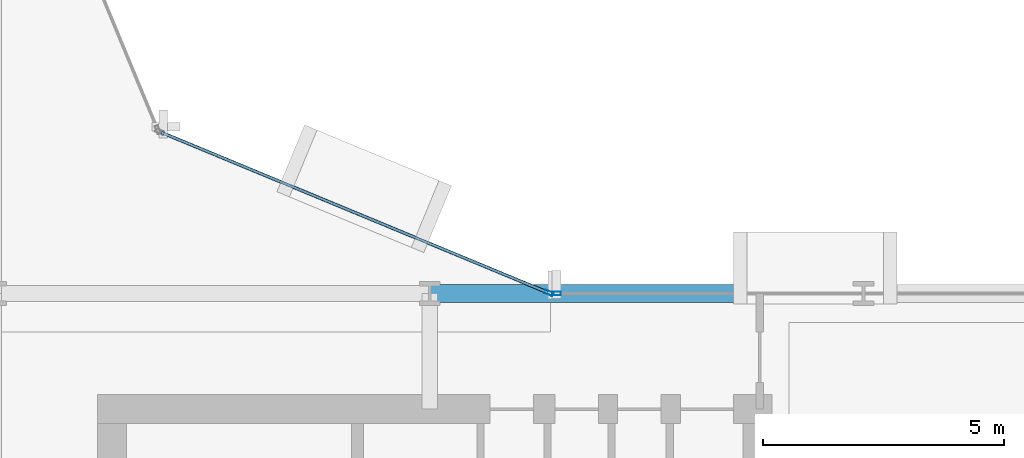
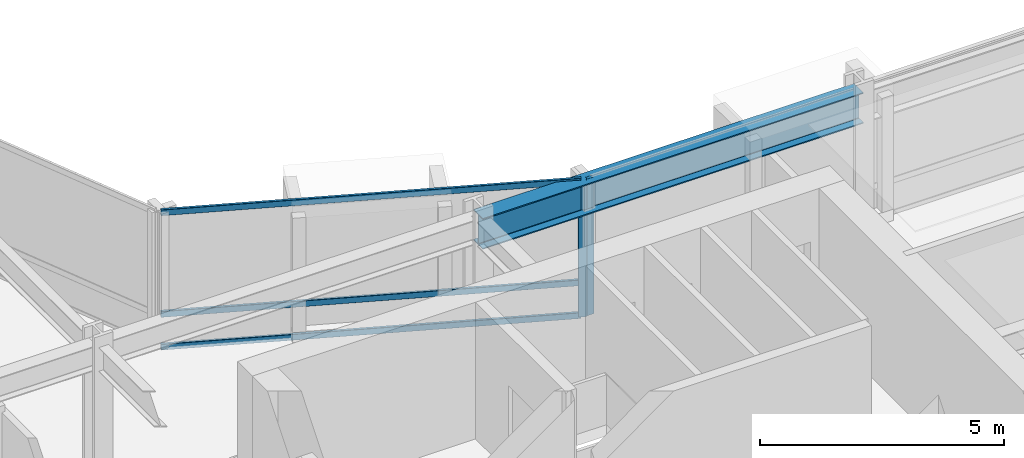
# One storey, part 15 of 34: 5 members, 1 beam, 2 elements without a shape of their own.
"""IFC4 building model written with IfcOpenShell, lengths in metres."""

from ifc_helpers import new_model, si_unit, direction, frame, origin, origin_2d, place, context, subcontext, project, spatial, hollow_rectangle, i_section, extrude, material, layer, layer_set, material_profile, profile_set, type_object, element, aggregate, save


model = new_model("IFC4")

# Units and contexts
model_context = context("Model", 3, precision=1e-05, world=origin(), true_north=direction((0.0, 1.0)))
body_context = subcontext(model_context, "Body", "Model", "MODEL_VIEW")
ifc_project = project(units=[si_unit("LENGTHUNIT", "METRE"), si_unit("AREAUNIT", "SQUARE_METRE"), si_unit("VOLUMEUNIT", "CUBIC_METRE"), si_unit("PLANEANGLEUNIT", "RADIAN"), si_unit("MASSUNIT", "GRAM", prefix="KILO")], contexts=[model_context])

# Site, building, storey
site_placement = place(None, origin())
site = spatial("IfcSite", under=ifc_project, at=site_placement, CompositionType="ELEMENT")
building_placement = place(site_placement, origin())
building = spatial("IfcBuilding", under=site, at=building_placement, Name="Solvaryn Broadcast Tower", CompositionType="ELEMENT")
storey_placement = place(building_placement, frame((0.0, 0.0, 43.39990234375)))
storey = spatial("IfcBuildingStorey", under=building, at=storey_placement, Name="L09", CompositionType="ELEMENT", Elevation=43.39990234375)

# Beam
ifc_material_1 = material(Name="Steel ASTM A992 Grade 50", Category="steel")
ifc_material_profile_1 = material_profile(ifc_material_1, i_section(OverallWidth=0.381103515625, OverallDepth=0.77294921875, WebThickness=0.0166015625, FlangeThickness=0.027099609375, FilletRadius=0.01806640625, at=origin_2d()))
ifc_profile_set_1 = profile_set([ifc_material_profile_1], Name="Steel ASTM A992 Grade 50")
beam_type = type_object("IfcBeamType", Name="BM-SP1-W30X173", PredefinedType="USERDEFINED", material=ifc_profile_set_1)
beam_placement = place(storey_placement, frame((36.0, 27.0, 3.03369140625), z_axis=(1.0, 0.0, 0.0), x_axis=(0.0, 1.0, 0.0)))
element("IfcBeam", 1, at=beam_placement, inside=storey, type_object=beam_type, Name="L09 Spandrel Beam X (36-45 @ Y=27)", ObjectType="SPANDREL", PredefinedType="USERDEFINED", context=body_context, shape_type="SweptSolid", body=[
    extrude(i_section(OverallWidth=0.381103515625, OverallDepth=0.77294921875, WebThickness=0.0166015625, FlangeThickness=0.027099609375, FilletRadius=0.01806640625, at=origin_2d()), origin(), (0.0, 0.0, 1.0), 9.0),
])

# Curtain wall, member
ifc_material_2 = material(Name="Aluminium and Terracotta Unitised Curtain Wall", Category="masonry")
ifc_layer = layer(ifc_material_2, 0.199951171875)
ifc_layer_set = layer_set([ifc_layer], Name="CW-SYS2-LOWMID")
curtain_wall_type = type_object("IfcCurtainWallType", Name="CW-SYS2-LOWMID", PredefinedType="NOTDEFINED", material=ifc_layer_set)
curtain_wall_1_placement = place(storey_placement, origin())
curtain_wall_1 = element("IfcCurtainWall", 2, at=curtain_wall_1_placement, inside=storey, type_object=curtain_wall_type, Name="L09 Curtain Wall CN1", PredefinedType="NOTDEFINED")
ifc_material_3 = material(Name="Anodised Aluminium 6063-T6", Category="aluminium")
ifc_material_profile_2 = material_profile(ifc_material_3, hollow_rectangle(XDim=0.074951171875, YDim=0.179931640625, WallThickness=0.00390625, InnerFilletRadius=0.00390625, OuterFilletRadius=0.008056640625, at=origin_2d()))
ifc_profile_set_2 = profile_set([ifc_material_profile_2], Name="Anodised Aluminium 6063-T6")
member_type_1 = type_object("IfcMemberType", Name="CW-MUL-180", PredefinedType="MULLION", material=ifc_profile_set_2)
member_1_placement = place(storey_placement, frame((38.47216796875, 27.011474609375, 0.0), z_axis=(0.0, 0.0, 1.0), x_axis=(-0.382646127145, -0.923894983957, 0.0)))
member_1 = element("IfcMember", 3, at=member_1_placement, type_object=member_type_1, Name="CWS2 mullion 1", PredefinedType="MULLION", context=body_context, shape_type="SweptSolid", body=[
    extrude(hollow_rectangle(XDim=0.074951171875, YDim=0.179931640625, WallThickness=0.00390625, InnerFilletRadius=0.00390625, OuterFilletRadius=0.008056640625, at=origin_2d()), origin(), (0.0, 0.0, 1.0), 3.420166015625),
])

curtain_wall_2_placement = place(storey_placement, origin())
curtain_wall_2 = element("IfcCurtainWall", 4, at=curtain_wall_2_placement, inside=storey, type_object=curtain_wall_type, Name="L09 Curtain Wall IH", PredefinedType="NOTDEFINED")
member_2_placement = place(storey_placement, frame((38.6298828125, 27.0, 0.0), z_axis=(0.0, 0.0, 1.0), x_axis=(0.0, 1.0, 0.0)))
member_2 = element("IfcMember", 5, at=member_2_placement, type_object=member_type_1, Name="CWS2 mullion 1", PredefinedType="MULLION", context=body_context, shape_type="SweptSolid", body=[
    extrude(hollow_rectangle(XDim=0.074951171875, YDim=0.179931640625, WallThickness=0.00390625, InnerFilletRadius=0.00390625, OuterFilletRadius=0.008056640625, at=origin_2d()), origin(), (0.0, 0.0, 1.0), 3.420166015625),
])
aggregate(curtain_wall_2, [member_2])

# Member
ifc_material_4 = material(Name="Anodised Aluminium 6063-T6", Category="aluminium")
ifc_material_profile_3 = material_profile(ifc_material_4, hollow_rectangle(XDim=0.06494140625, YDim=0.14990234375, WallThickness=0.00390625, InnerFilletRadius=0.00390625, OuterFilletRadius=0.008056640625, at=origin_2d()))
ifc_profile_set_3 = profile_set([ifc_material_profile_3], Name="Anodised Aluminium 6063-T6")
member_type_2 = type_object("IfcMemberType", Name="CW-TRN-150", PredefinedType="USERDEFINED", material=ifc_profile_set_3)
member_3_placement = place(storey_placement, frame((38.444580078125, 27.02294921875, 0.030029296875), z_axis=(-0.923899282177, 0.382635748975, 0.0), x_axis=(-0.382635748975, -0.923899282177, 0.0)))
member_3 = element("IfcMember", 6, at=member_3_placement, type_object=member_type_2, Name="CWS2 transom 1.1", ObjectType="TRANSOM", PredefinedType="USERDEFINED", context=body_context, shape_type="SweptSolid", body=[
    extrude(hollow_rectangle(XDim=0.06494140625, YDim=0.14990234375, WallThickness=0.00390625, InnerFilletRadius=0.00390625, OuterFilletRadius=0.008056640625, at=origin_2d()), origin(), (0.0, 0.0, 1.0), 8.681884765625),
])

member_4_placement = place(storey_placement, frame((38.444580078125, 27.02294921875, 0.85009765625), z_axis=(-0.923899282177, 0.382635748975, 0.0), x_axis=(-0.382635748975, -0.923899282177, 0.0)))
member_4 = element("IfcMember", 7, at=member_4_placement, type_object=member_type_2, Name="CWS2 transom 1.2", ObjectType="TRANSOM", PredefinedType="USERDEFINED", context=body_context, shape_type="SweptSolid", body=[
    extrude(hollow_rectangle(XDim=0.06494140625, YDim=0.14990234375, WallThickness=0.00390625, InnerFilletRadius=0.00390625, OuterFilletRadius=0.008056640625, at=origin_2d()), origin(), (0.0, 0.0, 1.0), 8.681884765625),
])

member_5_placement = place(storey_placement, frame((38.444580078125, 27.02294921875, 3.39013671875), z_axis=(-0.923899282177, 0.382635748975, 0.0), x_axis=(-0.382635748975, -0.923899282177, 0.0)))
member_5 = element("IfcMember", 8, at=member_5_placement, type_object=member_type_2, Name="CWS2 transom 1.3", ObjectType="TRANSOM", PredefinedType="USERDEFINED", context=body_context, shape_type="SweptSolid", body=[
    extrude(hollow_rectangle(XDim=0.06494140625, YDim=0.14990234375, WallThickness=0.00390625, InnerFilletRadius=0.00390625, OuterFilletRadius=0.008056640625, at=origin_2d()), origin(), (0.0, 0.0, 1.0), 8.681884765625),
])

aggregate(curtain_wall_1, [member_1, member_3, member_4, member_5])

save(model, "model.ifc")
